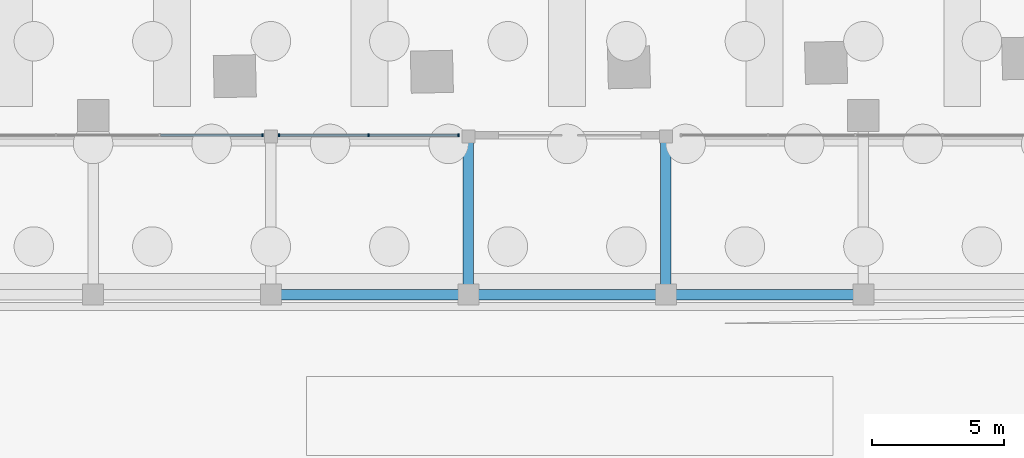
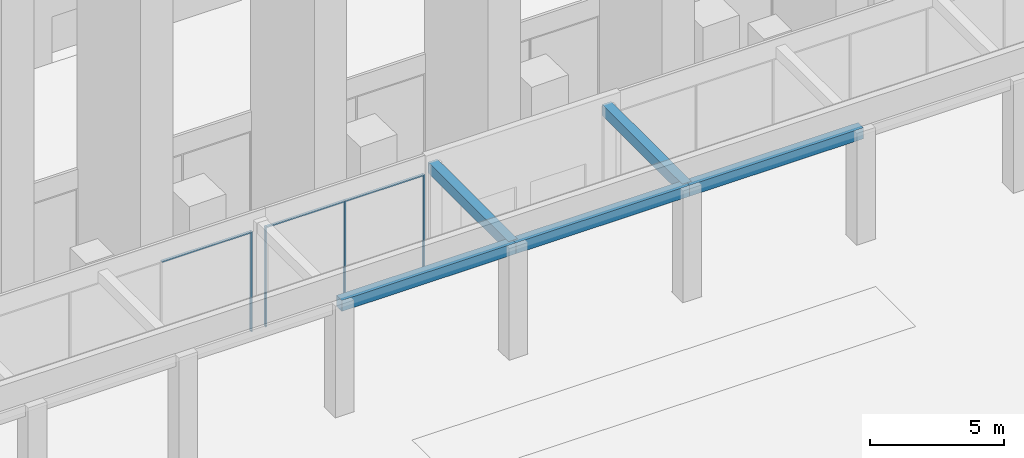
# One storey, part 10 of 46: 7 members, 5 beams, 2 elements without a shape of their own.
"""IFC4 building model written with IfcOpenShell, lengths in metres."""

from ifc_helpers import new_model, si_unit, direction, frame, origin, origin_2d, place, context, subcontext, project, spatial, rectangle, extrude, material, material_profile, profile_set, type_object, element, aggregate, save


model = new_model("IFC4")

# Units and contexts
model_context = context("Model", 3, precision=1e-05, world=origin(), true_north=direction((0.0, 1.0)))
body_context = subcontext(model_context, "Body", "Model", "MODEL_VIEW")
ifc_project = project(units=[si_unit("LENGTHUNIT", "METRE"), si_unit("AREAUNIT", "SQUARE_METRE"), si_unit("VOLUMEUNIT", "CUBIC_METRE"), si_unit("PLANEANGLEUNIT", "RADIAN"), si_unit("MASSUNIT", "GRAM", prefix="KILO")], contexts=[model_context])

# Site, building, storey
site_placement = place(None, origin())
site = spatial("IfcSite", under=ifc_project, at=site_placement, CompositionType="ELEMENT")
building_placement = place(site_placement, origin())
building = spatial("IfcBuilding", under=site, at=building_placement, Name="Mangrove Gate Tower", CompositionType="ELEMENT")
storey_placement = place(building_placement, origin())
storey = spatial("IfcBuildingStorey", under=building, at=storey_placement, Name="L00", CompositionType="ELEMENT", Elevation=0.0)

# Beams
ifc_material_1 = material(Name="Concrete C70/85", Category="concrete")
ifc_material_profile_1 = material_profile(ifc_material_1, rectangle(XDim=0.39990234375, YDim=0.5, at=origin_2d()))
ifc_profile_set_1 = profile_set([ifc_material_profile_1], Name="Concrete C70/85")
beam_type = type_object("IfcBeamType", Name="Canopy beam RC 400x500 C70/85", PredefinedType="BEAM", material=ifc_profile_set_1)
for number, where, z_axis, x_axis, name in (
    (1, (-11.25, -36.89990234375, 4.830078125), (1.0, 0.0, 0.0), (0.0, 1.0, 0.0), "Canopy beam L00 CES05"),
    (2, (-3.75, -36.89990234375, 4.830078125), (1.0, 0.0, 0.0), (0.0, 1.0, 0.0), "Canopy beam L00 CES06"),
    (3, (3.75, -36.89990234375, 4.830078125), (1.0, 0.0, 0.0), (0.0, 1.0, 0.0), "Canopy beam L00 CES07"),
):
    element("IfcBeam", number, at=place(storey_placement, frame(where, z_axis=z_axis, x_axis=x_axis)), inside=storey, type_object=beam_type, Name=name, PredefinedType="BEAM", context=body_context, shape_type="SweptSolid", body=[
        extrude(rectangle(XDim=0.39990234375, YDim=0.5, at=origin_2d()), origin(), (0.0, 0.0, 1.0), 7.5),
    ])
for number, where, z_axis, x_axis, name in (
    (4, (-3.75, -30.89990234375, 4.830078125), (0.0, -1.0, 0.0), (1.0, 0.0, 0.0), "Canopy beam L00 CBS06"),
    (5, (3.75, -30.89990234375, 4.830078125), (0.0, -1.0, 0.0), (1.0, 0.0, 0.0), "Canopy beam L00 CBS07"),
):
    element("IfcBeam", number, at=place(storey_placement, frame(where, z_axis=z_axis, x_axis=x_axis)), inside=storey, type_object=beam_type, Name=name, PredefinedType="BEAM", context=body_context, shape_type="SweptSolid", body=[
        extrude(rectangle(XDim=0.39990234375, YDim=0.5, at=origin_2d()), origin(), (0.0, 0.0, 1.0), 6.0),
    ])

# Curtain wall, member
ifc_material_2 = material(Name="Aluminium and glass curtain wall", Category="aluminium")
curtain_wall_type = type_object("IfcCurtainWallType", Name="Podium shopfront glazing wall", PredefinedType="NOTDEFINED", material=ifc_material_2)
curtain_wall_1_placement = place(storey_placement, origin())
curtain_wall_1 = element("IfcCurtainWall", 6, at=curtain_wall_1_placement, inside=storey, type_object=curtain_wall_type, Name="Podium shopfront glazing S4s1", PredefinedType="NOTDEFINED")
ifc_material_3 = material(Name="Aluminium alloy 6063-T6", Category="aluminium")
ifc_material_profile_2 = material_profile(ifc_material_3, rectangle(XDim=0.06005859375, YDim=0.1201171875, at=origin_2d()))
ifc_profile_set_2 = profile_set([ifc_material_profile_2], Name="Aluminium alloy 6063-T6")
member_type_1 = type_object("IfcMemberType", Name="Podium shopfront glazing mullion 60x120", PredefinedType="MULLION", material=ifc_profile_set_2)
member_1_placement = place(storey_placement, frame((-11.56005859375, -30.85009765625, 0.0), z_axis=(0.0, 0.0, 1.0), x_axis=(1.0, 0.0, 0.0)))
member_1 = element("IfcMember", 7, at=member_1_placement, type_object=member_type_1, Name="CWS mullion 6", PredefinedType="MULLION", context=body_context, shape_type="SweptSolid", body=[
    extrude(rectangle(XDim=0.06005859375, YDim=0.1201171875, at=origin_2d()), origin(), (0.0, 0.0, 1.0), 4.570068359375),
])

# Curtain wall, members
curtain_wall_2_placement = place(storey_placement, origin())
curtain_wall_2 = element("IfcCurtainWall", 8, at=curtain_wall_2_placement, inside=storey, type_object=curtain_wall_type, Name="Podium shopfront glazing S4s2", PredefinedType="NOTDEFINED")
member_2_placement = place(storey_placement, frame((-10.93994140625, -30.85009765625, 0.0), z_axis=(0.0, 0.0, 1.0), x_axis=(1.0, 0.0, 0.0)))
member_2 = element("IfcMember", 9, at=member_2_placement, type_object=member_type_1, Name="CWS mullion 1", PredefinedType="MULLION", context=body_context, shape_type="SweptSolid", body=[
    extrude(rectangle(XDim=0.06005859375, YDim=0.1201171875, at=origin_2d()), origin(), (0.0, 0.0, 1.0), 4.570068359375),
])
member_3_placement = place(storey_placement, frame((-7.534912109375, -30.85009765625, 0.0), z_axis=(0.0, 0.0, 1.0), x_axis=(1.0, 0.0, 0.0)))
member_3 = element("IfcMember", 10, at=member_3_placement, type_object=member_type_1, Name="CWS mullion 2", PredefinedType="MULLION", context=body_context, shape_type="SweptSolid", body=[
    extrude(rectangle(XDim=0.06005859375, YDim=0.1201171875, at=origin_2d()), origin(), (0.0, 0.0, 1.0), 4.570068359375),
])
member_4_placement = place(storey_placement, frame((-4.1298828125, -30.85009765625, 0.0), z_axis=(0.0, 0.0, 1.0), x_axis=(1.0, 0.0, 0.0)))
member_4 = element("IfcMember", 11, at=member_4_placement, type_object=member_type_1, Name="CWS mullion 3", PredefinedType="MULLION", context=body_context, shape_type="SweptSolid", body=[
    extrude(rectangle(XDim=0.06005859375, YDim=0.1201171875, at=origin_2d()), origin(), (0.0, 0.0, 1.0), 4.570068359375),
])

# Member
ifc_material_4 = material(Name="Aluminium alloy 6063-T6", Category="aluminium")
ifc_material_profile_3 = material_profile(ifc_material_4, rectangle(XDim=0.06005859375, YDim=0.10009765625, at=origin_2d()))
ifc_profile_set_3 = profile_set([ifc_material_profile_3], Name="Aluminium alloy 6063-T6")
member_type_2 = type_object("IfcMemberType", Name="Podium shopfront glazing transom 60x100", PredefinedType="USERDEFINED", material=ifc_profile_set_3)
member_5_placement = place(storey_placement, frame((-15.43798828125, -30.85009765625, 4.5400390625), z_axis=(1.0, 0.0, 0.0), x_axis=(0.0, 0.0, 1.0)))
member_5 = element("IfcMember", 12, at=member_5_placement, type_object=member_type_2, Name="CWS transom 5.2", ObjectType="TRANSOM", PredefinedType="USERDEFINED", context=body_context, shape_type="SweptSolid", body=[
    extrude(rectangle(XDim=0.06005859375, YDim=0.10009765625, at=origin_2d()), origin(), (0.0, 0.0, 1.0), 3.847900390625),
])

aggregate(curtain_wall_1, [member_1, member_5])

member_6_placement = place(storey_placement, frame((-10.909912109375, -30.85009765625, 4.5400390625), z_axis=(1.0, 0.0, 0.0), x_axis=(0.0, 0.0, 1.0)))
member_6 = element("IfcMember", 13, at=member_6_placement, type_object=member_type_2, Name="CWS transom 1.2", ObjectType="TRANSOM", PredefinedType="USERDEFINED", context=body_context, shape_type="SweptSolid", body=[
    extrude(rectangle(XDim=0.06005859375, YDim=0.10009765625, at=origin_2d()), origin(), (0.0, 0.0, 1.0), 3.344970703125),
])

member_7_placement = place(storey_placement, frame((-7.5048828125, -30.85009765625, 4.5400390625), z_axis=(1.0, 0.0, 0.0), x_axis=(0.0, 0.0, 1.0)))
member_7 = element("IfcMember", 14, at=member_7_placement, type_object=member_type_2, Name="CWS transom 2.2", ObjectType="TRANSOM", PredefinedType="USERDEFINED", context=body_context, shape_type="SweptSolid", body=[
    extrude(rectangle(XDim=0.06005859375, YDim=0.10009765625, at=origin_2d()), origin(), (0.0, 0.0, 1.0), 3.344970703125),
])

aggregate(curtain_wall_2, [member_2, member_3, member_4, member_6, member_7])

save(model, "model.ifc")
